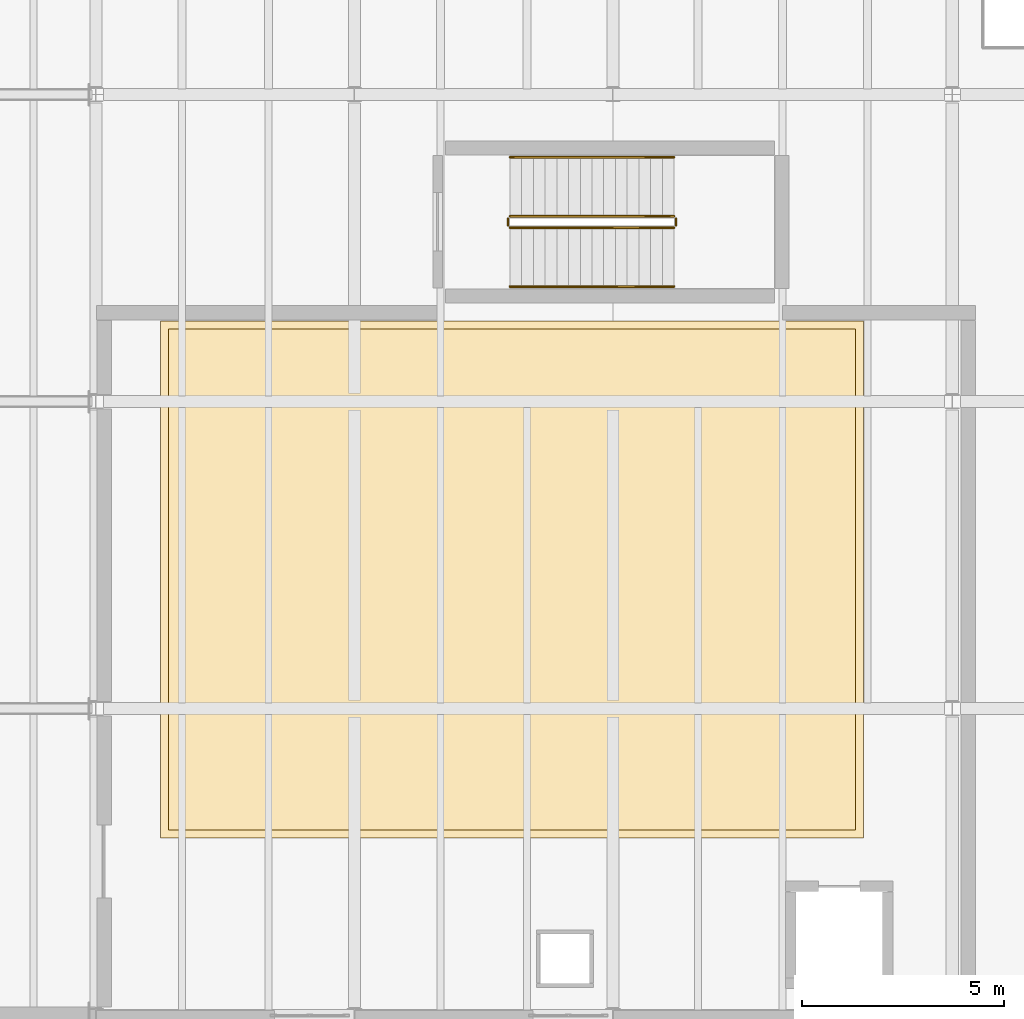
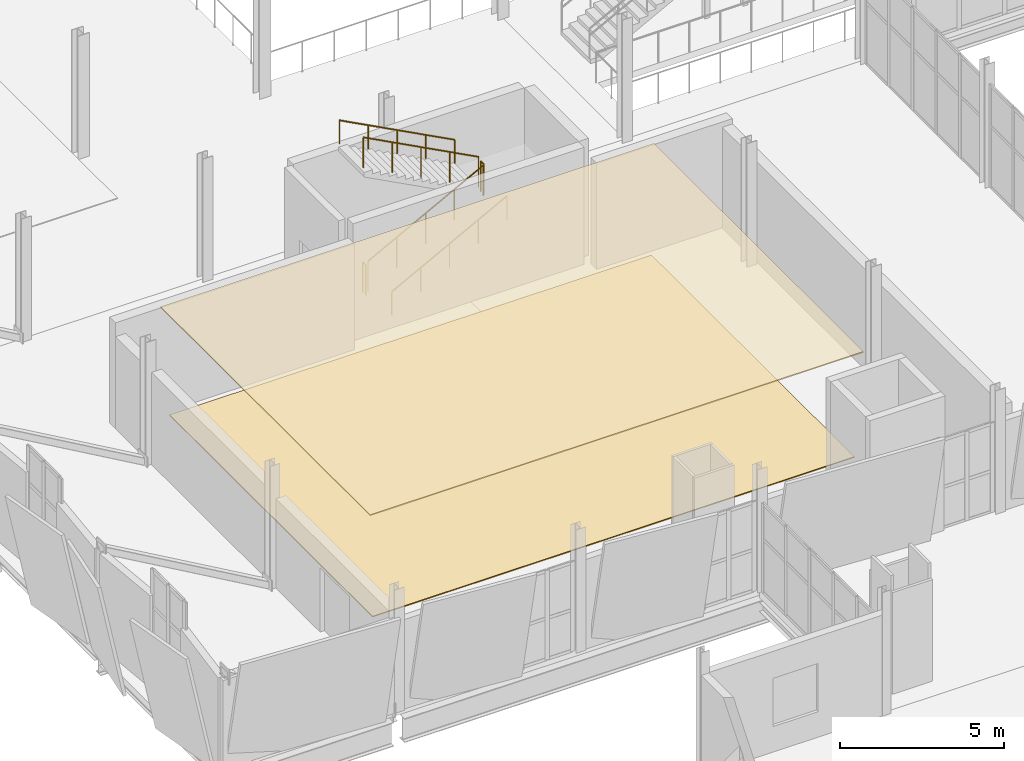
# One storey, part 162 of 172: 6 railings, 2 coverings.
"""IFC4 building model written with IfcOpenShell, lengths in metres."""

from ifc_helpers import new_model, si_unit, direction, frame, origin, origin_2d, place, context, subcontext, project, spatial, polyline, circle, outline, extrude, material, layer, layer_set, type_object, element, save


model = new_model("IFC4")

# Units and contexts
model_context = context("Model", 3, precision=1e-05, world=origin(), true_north=direction((0.0, 1.0)))
body_context = subcontext(model_context, "Body", "Model", "MODEL_VIEW")
ifc_project = project(units=[si_unit("LENGTHUNIT", "METRE"), si_unit("AREAUNIT", "SQUARE_METRE"), si_unit("VOLUMEUNIT", "CUBIC_METRE"), si_unit("PLANEANGLEUNIT", "RADIAN"), si_unit("MASSUNIT", "GRAM", prefix="KILO")], contexts=[model_context])

# Site, building, storey
site_placement = place(None, origin())
site = spatial("IfcSite", under=ifc_project, at=site_placement, CompositionType="ELEMENT")
building_placement = place(site_placement, origin())
building = spatial("IfcBuilding", under=site, at=building_placement, Name="Shengluoqiao Park Theatre", CompositionType="ELEMENT")
storey_placement = place(building_placement, frame((0.0, 0.0, 5.39990234375)))
storey = spatial("IfcBuildingStorey", under=building, at=storey_placement, Name="L01", CompositionType="ELEMENT", Elevation=5.39990234375)

# Coverings
ifc_material_1 = material(Name="Perforated timber acoustic", Category="wood")
ifc_layer_1 = layer(ifc_material_1, 0.0400390625, Name="Perforated timber acoustic")
ifc_layer_set_1 = layer_set([ifc_layer_1], Name="Perforated timber acoustic")
covering_type_1 = type_object("IfcCoveringType", Name="INT-COV-CLG2", PredefinedType="CEILING", material=ifc_layer_set_1)
covering_1_placement = place(storey_placement, frame((0.0, 0.0, 3.97021484375)))
element("IfcCovering", 1, at=covering_1_placement, inside=storey, type_object=covering_type_1, Name="Studio Theatre Acoustic Reflector Ceiling", PredefinedType="CEILING", context=body_context, shape_type="SweptSolid", body=[
    extrude(outline(polyline([(8.0, 34.800048828125), (25.39990234375, 34.800048828125), (25.39990234375, 47.60009765625), (8.0, 47.60009765625), (8.0, 34.800048828125)])), origin(), (0.0, 0.0, 1.0), 0.039794921875),
])
ifc_material_2 = material(Name="Engineered oak acoustic parquet", Category="wood")
ifc_layer_2 = layer(ifc_material_2, 0.034912109375, Name="Engineered oak acoustic parquet")
ifc_layer_set_2 = layer_set([ifc_layer_2], Name="Engineered oak acoustic parquet")
covering_type_2 = type_object("IfcCoveringType", Name="INT-COV-FLR2", PredefinedType="FLOORING", material=ifc_layer_set_2)
covering_2_placement = place(storey_placement, origin())
element("IfcCovering", 2, at=covering_2_placement, inside=storey, type_object=covering_type_2, Name="Studio Theatre Sprung Timber Floor", PredefinedType="FLOORING", context=body_context, shape_type="SweptSolid", body=[
    extrude(outline(polyline([(8.199951171875, 35.0), (25.199951171875, 35.0), (25.199951171875, 47.39990234375), (8.199951171875, 47.39990234375), (8.199951171875, 35.0)])), origin(), (0.0, 0.0, 1.0), 0.03515625),
])

# Railings
ifc_material_3 = material(Name="Painted steel", Category="steel")
railing_type_1 = type_object("IfcRailingType", Name="INT-RL-STGRD", PredefinedType="GUARDRAIL", material=ifc_material_3)
railing_1_placement = place(storey_placement, frame((16.64990234375, 49.909912109375, 0.1533203125)))
element("IfcRailing", 3, at=railing_1_placement, inside=storey, type_object=railing_type_1, Name="L01 ST-13 stair guard 1", PredefinedType="GUARDRAIL", context=body_context, shape_type="SweptSolid", body=[
    extrude(circle(Radius=0.02392578125, at=origin_2d()), frame((0.0, 0.0, 1.1259765625), z_axis=(0.884032182968, 0.0, 0.46742603637), x_axis=(0.0, 1.0, 0.0)), (0.0, 0.0, 1.0), 4.5927734375),
    extrude(circle(Radius=0.02099609375, at=origin_2d()), origin(), (0.0, 0.0, 1.0), 1.101806640625),
    extrude(circle(Radius=0.02099609375, at=origin_2d()), frame((1.01513671875, 0.0, 0.53662109375)), (0.0, 0.0, 1.0), 1.101806640625),
    extrude(circle(Radius=0.02099609375, at=origin_2d()), frame((2.030029296875, 0.0, 1.0732421875)), (0.0, 0.0, 1.0), 1.101806640625),
    extrude(circle(Radius=0.02099609375, at=origin_2d()), frame((3.044921875, 0.0, 1.610107421875)), (0.0, 0.0, 1.0), 1.101806640625),
    extrude(circle(Radius=0.02099609375, at=origin_2d()), frame((4.06005859375, 0.0, 2.146728515625)), (0.0, 0.0, 1.0), 1.101806640625),
])
railing_2_placement = place(storey_placement, frame((20.760009765625, 49.9599609375, 2.300048828125)))
element("IfcRailing", 4, at=railing_2_placement, inside=storey, type_object=railing_type_1, Name="L01 ST-13 stair guard 2", PredefinedType="GUARDRAIL", context=body_context, shape_type="SweptSolid", body=[
    extrude(circle(Radius=0.02392578125, at=origin_2d()), frame((0.0, 0.0, 1.1259765625), z_axis=(0.0, 1.0, 0.0), x_axis=(-1.0, 0.0, 0.0)), (0.0, 0.0, 1.0), 0.179931640625),
    extrude(circle(Radius=0.02099609375, at=origin_2d()), origin(), (0.0, 0.0, 1.0), 1.101806640625),
    extrude(circle(Radius=0.02099609375, at=origin_2d()), frame((0.0, 0.179931640625, 0.0)), (0.0, 0.0, 1.0), 1.101806640625),
])
railing_3_placement = place(storey_placement, frame((20.7099609375, 50.18994140625, 2.453369140625)))
element("IfcRailing", 5, at=railing_3_placement, inside=storey, type_object=railing_type_1, Name="L01 ST-13 stair guard 3", PredefinedType="GUARDRAIL", context=body_context, shape_type="SweptSolid", body=[
    extrude(circle(Radius=0.02392578125, at=origin_2d()), frame((0.0, 0.0, 1.1259765625), z_axis=(-0.884032182968, 0.0, 0.46742603637), x_axis=(0.0, -1.0, 0.0)), (0.0, 0.0, 1.0), 4.5927734375),
    extrude(circle(Radius=0.02099609375, at=origin_2d()), origin(), (0.0, 0.0, 1.0), 1.101806640625),
    extrude(circle(Radius=0.02099609375, at=origin_2d()), frame((-1.01513671875, 0.0, 0.53662109375)), (0.0, 0.0, 1.0), 1.101806640625),
    extrude(circle(Radius=0.02099609375, at=origin_2d()), frame((-2.030029296875, 0.0, 1.0732421875)), (0.0, 0.0, 1.0), 1.101806640625),
    extrude(circle(Radius=0.02099609375, at=origin_2d()), frame((-3.044921875, 0.0, 1.610107421875)), (0.0, 0.0, 1.0), 1.101806640625),
    extrude(circle(Radius=0.02099609375, at=origin_2d()), frame((-4.06005859375, 0.0, 2.146728515625)), (0.0, 0.0, 1.0), 1.101806640625),
])
railing_4_placement = place(storey_placement, frame((16.60009765625, 49.9599609375, 0.0)))
element("IfcRailing", 6, at=railing_4_placement, inside=storey, type_object=railing_type_1, Name="L01 ST-13 stair guard 4", PredefinedType="GUARDRAIL", context=body_context, shape_type="SweptSolid", body=[
    extrude(circle(Radius=0.02392578125, at=origin_2d()), frame((0.0, 0.0, 1.1259765625), z_axis=(0.0, 1.0, 0.0), x_axis=(-1.0, 0.0, 0.0)), (0.0, 0.0, 1.0), 0.179931640625),
    extrude(circle(Radius=0.02099609375, at=origin_2d()), origin(), (0.0, 0.0, 1.0), 1.101806640625),
    extrude(circle(Radius=0.02099609375, at=origin_2d()), frame((0.0, 0.179931640625, 0.0)), (0.0, 0.0, 1.0), 1.101806640625),
])
ifc_material_4 = material(Name="Stainless steel 304", Category="steel")
railing_type_2 = type_object("IfcRailingType", Name="INT-RL-STHR", PredefinedType="HANDRAIL", material=ifc_material_4)
railing_5_placement = place(storey_placement, frame((16.64990234375, 48.449951171875, 0.1533203125)))
element("IfcRailing", 7, at=railing_5_placement, inside=storey, type_object=railing_type_2, Name="L01 ST-13 stair handrail 1", PredefinedType="HANDRAIL", context=body_context, shape_type="SweptSolid", body=[
    extrude(circle(Radius=0.02392578125, at=origin_2d()), frame((0.0, 0.0, 0.8759765625), z_axis=(0.884032182968, 0.0, 0.46742603637), x_axis=(0.0, 1.0, 0.0)), (0.0, 0.0, 1.0), 4.5927734375),
    extrude(circle(Radius=0.02099609375, at=origin_2d()), origin(), (0.0, 0.0, 1.0), 0.851806640625),
    extrude(circle(Radius=0.02099609375, at=origin_2d()), frame((1.01513671875, 0.0, 0.53662109375)), (0.0, 0.0, 1.0), 0.851806640625),
    extrude(circle(Radius=0.02099609375, at=origin_2d()), frame((2.030029296875, 0.0, 1.0732421875)), (0.0, 0.0, 1.0), 0.851806640625),
    extrude(circle(Radius=0.02099609375, at=origin_2d()), frame((3.044921875, 0.0, 1.610107421875)), (0.0, 0.0, 1.0), 0.851806640625),
    extrude(circle(Radius=0.02099609375, at=origin_2d()), frame((4.06005859375, 0.0, 2.146728515625)), (0.0, 0.0, 1.0), 0.851806640625),
])
railing_6_placement = place(storey_placement, frame((20.7099609375, 51.64990234375, 2.453369140625)))
element("IfcRailing", 8, at=railing_6_placement, inside=storey, type_object=railing_type_2, Name="L01 ST-13 stair handrail 2", PredefinedType="HANDRAIL", context=body_context, shape_type="SweptSolid", body=[
    extrude(circle(Radius=0.02392578125, at=origin_2d()), frame((0.0, 0.0, 0.8759765625), z_axis=(-0.884032182968, 0.0, 0.46742603637), x_axis=(0.0, -1.0, 0.0)), (0.0, 0.0, 1.0), 4.5927734375),
    extrude(circle(Radius=0.02099609375, at=origin_2d()), origin(), (0.0, 0.0, 1.0), 0.851806640625),
    extrude(circle(Radius=0.02099609375, at=origin_2d()), frame((-1.01513671875, 0.0, 0.53662109375)), (0.0, 0.0, 1.0), 0.851806640625),
    extrude(circle(Radius=0.02099609375, at=origin_2d()), frame((-2.030029296875, 0.0, 1.0732421875)), (0.0, 0.0, 1.0), 0.851806640625),
    extrude(circle(Radius=0.02099609375, at=origin_2d()), frame((-3.044921875, 0.0, 1.610107421875)), (0.0, 0.0, 1.0), 0.851806640625),
    extrude(circle(Radius=0.02099609375, at=origin_2d()), frame((-4.06005859375, 0.0, 2.146728515625)), (0.0, 0.0, 1.0), 0.851806640625),
])

save(model, "model.ifc")
